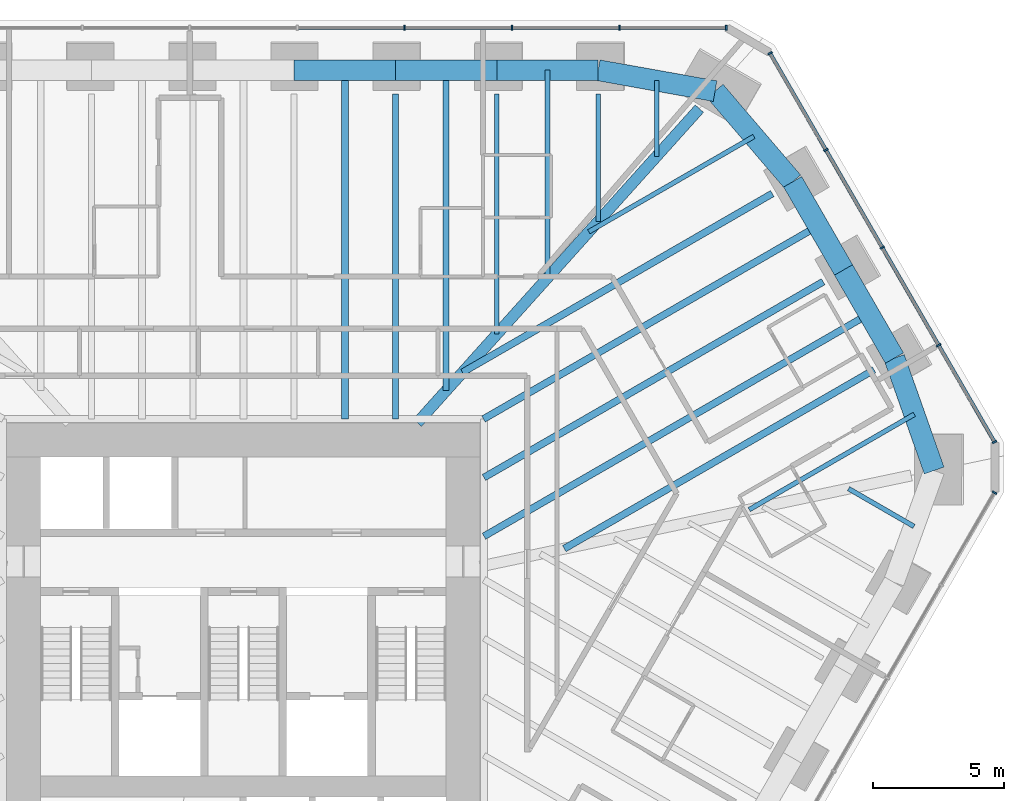
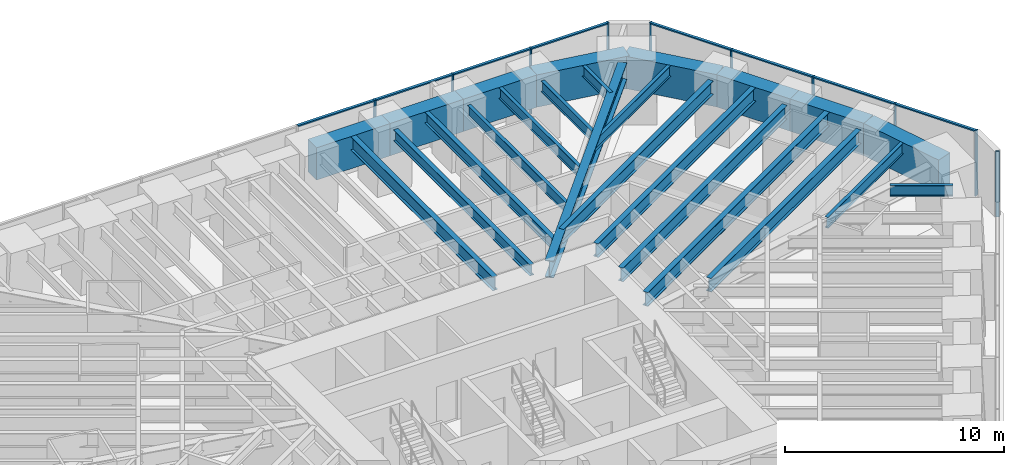
# One storey, part 9 of 18: 24 beams, 18 members, 3 elements without a shape of their own.
"""IFC4 building model written with IfcOpenShell, lengths in metres."""

import ifcopenshell
import ifcopenshell.guid

model = None  # the IFC model being written
_history = None  # IfcOwnerHistory: only IFC2X3 demands one
_inside = {}  # id of a spatial element -> (the spatial element, [elements in it])
_under = {}  # id of a project, library or spatial element -> (it, [spatial elements below it])
_declared = {}  # id of a project -> (the project, [libraries it declares])
_typed = {}  # id of a type object -> (the type object, [elements of that type])
_made_of = {}  # id of a material, layer set ... -> (it, [elements and type objects made of it])


def new_model(schema):
    """Start an empty IFC model of exactly this schema.

    Asked for "IFC4X3", IfcOpenShell would pick the latest addendum, in which some entities
    have other attributes; the version numbers below select the first issue.
    IFC2X3 requires an IfcOwnerHistory on every rooted entity: one is made here for all.
    """
    global model, _history
    if schema == "IFC4X3":
        model = ifcopenshell.file(schema_version=(4, 3, 0, 0))
    else:
        model = ifcopenshell.file(schema=schema)
    _inside.clear()
    _under.clear()
    _declared.clear()
    _typed.clear()
    _made_of.clear()
    _history = None
    if model.schema == "IFC2X3":
        org = make("IfcOrganization", Name="unknown")
        user = make(
            "IfcPersonAndOrganization",
            ThePerson=make("IfcPerson", FamilyName="unknown"),
            TheOrganization=org,
        )
        app = make(
            "IfcApplication",
            ApplicationDeveloper=org,
            Version="unknown",
            ApplicationFullName="unknown",
            ApplicationIdentifier="unknown",
        )
        _history = make(
            "IfcOwnerHistory",
            OwningUser=user,
            OwningApplication=app,
            ChangeAction="ADDED",
            CreationDate=0,
        )
    return model


def make(cls, **values):
    """One entity of the class cls with the attributes given. An attribute that is None is left unset."""
    return model.create_entity(
        cls, **{name: value for name, value in values.items() if value is not None}
    )


def rooted(cls, **values):
    """An entity with a GlobalId (a new one), such as an element, a storey or a relation."""
    return make(cls, GlobalId=ifcopenshell.guid.new(), OwnerHistory=_history, **values)


def si_unit(unit_type, name, prefix=None):
    """IfcSIUnit, for example si_unit("LENGTHUNIT", "METRE", prefix="MILLI")."""
    return make("IfcSIUnit", UnitType=unit_type, Prefix=prefix, Name=name)


def assignment(units):
    """IfcUnitAssignment: the units of a project."""
    return None if units is None else make("IfcUnitAssignment", Units=units)


def point(xyz):
    """IfcCartesianPoint."""
    return None if xyz is None else make("IfcCartesianPoint", Coordinates=xyz)


def direction(xyz):
    """IfcDirection."""
    return None if xyz is None else make("IfcDirection", DirectionRatios=xyz)


def frame(location, z_axis=None, x_axis=None):
    """IfcAxis2Placement3D, a coordinate frame: its origin and axes. An axis left out is left unset."""
    return make(
        "IfcAxis2Placement3D",
        Location=point(location),
        Axis=direction(z_axis),
        RefDirection=direction(x_axis),
    )


def frame_2d(location, x_axis=None):
    """IfcAxis2Placement2D, a coordinate frame in the plane: its origin and x axis."""
    return make(
        "IfcAxis2Placement2D", Location=point(location), RefDirection=direction(x_axis)
    )


def origin():
    """The frame at (0, 0, 0) with its axes left unset."""
    return frame((0.0, 0.0, 0.0))


def origin_2d():
    """The frame at (0, 0) in the plane with its x axis left unset."""
    return frame_2d((0.0, 0.0))


def place(relative_to, where):
    """IfcLocalPlacement: puts the frame where relative to a parent placement (None: the world)."""
    return make(
        "IfcLocalPlacement", PlacementRelTo=relative_to, RelativePlacement=where
    )


def context(
    kind, dimensions, precision=None, world=None, true_north=None, identifier=None
):
    """IfcGeometricRepresentationContext, for example the 3D "Model" context."""
    return make(
        "IfcGeometricRepresentationContext",
        ContextIdentifier=identifier,
        ContextType=kind,
        CoordinateSpaceDimension=dimensions,
        Precision=precision,
        WorldCoordinateSystem=world,
        TrueNorth=true_north,
    )


def subcontext(parent, identifier, kind, view, scale=None):
    """IfcGeometricRepresentationSubContext, for example "Body" below "Model"."""
    return make(
        "IfcGeometricRepresentationSubContext",
        ContextIdentifier=identifier,
        ContextType=kind,
        ParentContext=parent,
        TargetScale=scale,
        TargetView=view,
    )


def project(units=None, contexts=None):
    """IfcProject with its units and contexts."""
    return rooted(
        "IfcProject",
        Name="project",
        RepresentationContexts=contexts,
        UnitsInContext=assignment(units),
    )


def spatial(cls, under=None, at=None, **own):
    """A site, building, storey or space (cls), placed at a placement, below another one or the project."""
    s = rooted(cls, ObjectPlacement=at, **own)
    if under is not None:
        _under.setdefault(under.id(), (under, []))[1].append(s)
    return s


def profile(cls, at=None, kind="AREA", **sizes):
    """A parametric profile (cls). Its sizes go by their IFC names, for example OverallWidth=200.0."""
    return make(cls, ProfileType=kind, Position=at, **sizes)


def rectangle(**sizes):
    """IfcRectangleProfileDef."""
    return profile("IfcRectangleProfileDef", **sizes)


def i_section(**sizes):
    """IfcIShapeProfileDef."""
    return profile("IfcIShapeProfileDef", **sizes)


def extrude(swept, where, along, depth):
    """IfcExtrudedAreaSolid: the profile swept, set in the frame where, extruded along a direction by depth."""
    return make(
        "IfcExtrudedAreaSolid",
        SweptArea=swept,
        Position=where,
        ExtrudedDirection=direction(along),
        Depth=depth,
    )


def shape(context_of_items, identifier, shape_type, items):
    """IfcShapeRepresentation: the items that make up one representation, for example the "Body"."""
    return make(
        "IfcShapeRepresentation",
        ContextOfItems=context_of_items,
        RepresentationIdentifier=identifier,
        RepresentationType=shape_type,
        Items=items,
    )


def material(Name=None, Category=None):
    """IfcMaterial."""
    return make("IfcMaterial", Name=Name, Category=Category)


def material_profile(
    of_material, cross_section, Name=None, Category=None, Priority=None
):
    """IfcMaterialProfile: a cross section and its material."""
    return make(
        "IfcMaterialProfile",
        Name=Name,
        Material=of_material,
        Profile=cross_section,
        Priority=Priority,
        Category=Category,
    )


def profile_set(profiles, Name=None, composite=None):
    """IfcMaterialProfileSet."""
    return make(
        "IfcMaterialProfileSet",
        Name=Name,
        MaterialProfiles=profiles,
        CompositeProfile=composite,
    )


def made_of(thing, what):
    """Note that an element or type object is made of a material, layer set ...; save() writes the relation."""
    if what is not None:
        _made_of.setdefault(what.id(), (what, []))[1].append(thing)
    return thing


def type_object(cls, material=None, **own):
    """A type object (cls), such as IfcWallType, which elements share."""
    return made_of(rooted(cls, **own), material)


def element(
    cls,
    number,
    at=None,
    inside=None,
    cuts=None,
    type_object=None,
    material=None,
    context=None,
    identifier="Body",
    shape_type=None,
    held_by="IfcProductDefinitionShape",
    body=None,
    shapes=None,
    **own,
):
    """One element of the class cls, such as IfcWall. Its Tag is "e" and its number.

    at: its placement. inside: the storey or other place that contains it. cuts: it is an
    opening in that element (IfcRelVoidsElement). A single representation is given by context,
    identifier, shape_type and body (its items); several are given by shapes. held_by: the class
    of the entity that holds the representations. save() writes the other relations.
    """
    e = rooted(cls, Tag="e%d" % number, ObjectPlacement=at, **own)
    if body is not None:
        shapes = [shape(context, identifier, shape_type, body)]
    if shapes is not None:
        e.Representation = make(held_by, Representations=shapes)
    if inside is not None:
        _inside.setdefault(inside.id(), (inside, []))[1].append(e)
    if cuts is not None:
        rooted(
            "IfcRelVoidsElement", RelatingBuildingElement=cuts, RelatedOpeningElement=e
        )
    if type_object is not None:
        _typed.setdefault(type_object.id(), (type_object, []))[1].append(e)
    return made_of(e, material)


def aggregate(whole, parts):
    """IfcRelAggregates: a whole, such as a stair, and the parts it consists of."""
    return rooted("IfcRelAggregates", RelatingObject=whole, RelatedObjects=parts)


def save(model, path):
    """Write the relations noted so far, then the file.

    IfcRelAggregates (storeys below a building ...), IfcRelContainedInSpatialStructure (elements
    in a storey), IfcRelDefinesByType, IfcRelAssociatesMaterial and IfcRelDeclares: one each for
    every whole, place, type object, material and project.
    """
    for whole, parts in _under.values():
        aggregate(whole, parts)
    for where, things in _inside.values():
        rooted(
            "IfcRelContainedInSpatialStructure",
            RelatedElements=things,
            RelatingStructure=where,
        )
    for kind, things in _typed.values():
        rooted("IfcRelDefinesByType", RelatedObjects=things, RelatingType=kind)
    for what, things in _made_of.values():
        rooted("IfcRelAssociatesMaterial", RelatedObjects=things, RelatingMaterial=what)
    for by, libraries in _declared.values():
        rooted("IfcRelDeclares", RelatingContext=by, RelatedDefinitions=libraries)
    model.write(path)


model = new_model("IFC4")

# Units and contexts
model_context = context("Model", 3, precision=1e-05, world=origin(), true_north=direction((0.0, 1.0)))
body_context = subcontext(model_context, "Body", "Model", "MODEL_VIEW")
ifc_project = project(units=[si_unit("LENGTHUNIT", "METRE"), si_unit("AREAUNIT", "SQUARE_METRE"), si_unit("VOLUMEUNIT", "CUBIC_METRE"), si_unit("PLANEANGLEUNIT", "RADIAN"), si_unit("MASSUNIT", "GRAM", prefix="KILO")], contexts=[model_context])

# Site, building, storey
site_placement = place(None, origin())
site = spatial("IfcSite", under=ifc_project, at=site_placement, CompositionType="ELEMENT")
building_placement = place(site_placement, origin())
building = spatial("IfcBuilding", under=site, at=building_placement, Name="Sandreach Pilgrim Tower", CompositionType="ELEMENT")
storey_placement = place(building_placement, frame((0.0, 0.0, 153.800048828125)))
storey = spatial("IfcBuildingStorey", under=building, at=storey_placement, Name="L38", CompositionType="ELEMENT", Elevation=153.800048828125)

# Curtain wall, members
ifc_material_1 = material(Name="Aluminium framed curtain wall", Category="aluminium")
curtain_wall_type = type_object("IfcCurtainWallType", Name="Hotel tower curtain wall", PredefinedType="NOTDEFINED", material=ifc_material_1)
curtain_wall_1_placement = place(storey_placement, origin())
curtain_wall_1 = element("IfcCurtainWall", 1, at=curtain_wall_1_placement, inside=storey, type_object=curtain_wall_type, Name="CW-2 L38 N", PredefinedType="NOTDEFINED")
ifc_material_2 = material(Name="Aluminium extrusion", Category="aluminium")
ifc_material_profile_1 = material_profile(ifc_material_2, rectangle(XDim=0.06494140625, YDim=0.179931640625, at=origin_2d()), Name="CW-2M 65X180")
ifc_profile_set_1 = profile_set([ifc_material_profile_1], Name="Aluminium extrusion")
member_type_1 = type_object("IfcMemberType", Name="CW-2 mullion", PredefinedType="MULLION", material=ifc_profile_set_1)
member_1_placement = place(storey_placement, frame((6.160400390625, 22.493896484375, 0.0), z_axis=(0.0, 0.0, 1.0), x_axis=(1.0, 0.0, 0.0)))
member_1 = element("IfcMember", 2, at=member_1_placement, type_object=member_type_1, Name="CW-2 mullion 7", PredefinedType="MULLION", context=body_context, shape_type="SweptSolid", body=[
    extrude(rectangle(XDim=0.06494140625, YDim=0.179931640625, at=origin_2d()), origin(), (0.0, 0.0, 1.0), 3.639892578125),
])
member_2_placement = place(storey_placement, frame((10.267333984375, 22.493896484375, 0.0), z_axis=(0.0, 0.0, 1.0), x_axis=(1.0, 0.0, 0.0)))
member_2 = element("IfcMember", 3, at=member_2_placement, type_object=member_type_1, Name="CW-2 mullion 8", PredefinedType="MULLION", context=body_context, shape_type="SweptSolid", body=[
    extrude(rectangle(XDim=0.06494140625, YDim=0.179931640625, at=origin_2d()), origin(), (0.0, 0.0, 1.0), 3.639892578125),
])
member_3_placement = place(storey_placement, frame((14.37451171875, 22.493896484375, 0.0), z_axis=(0.0, 0.0, 1.0), x_axis=(1.0, 0.0, 0.0)))
member_3 = element("IfcMember", 4, at=member_3_placement, type_object=member_type_1, Name="CW-2 mullion 9", PredefinedType="MULLION", context=body_context, shape_type="SweptSolid", body=[
    extrude(rectangle(XDim=0.06494140625, YDim=0.179931640625, at=origin_2d()), origin(), (0.0, 0.0, 1.0), 3.639892578125),
])
member_4_placement = place(storey_placement, frame((18.448974609375, 22.493896484375, 0.0), z_axis=(0.0, 0.0, 1.0), x_axis=(1.0, 0.0, 0.0)))
member_4 = element("IfcMember", 5, at=member_4_placement, type_object=member_type_1, Name="CW-2 mullion 10", PredefinedType="MULLION", context=body_context, shape_type="SweptSolid", body=[
    extrude(rectangle(XDim=0.06494140625, YDim=0.179931640625, at=origin_2d()), origin(), (0.0, 0.0, 1.0), 3.639892578125),
])

curtain_wall_2_placement = place(storey_placement, origin())
curtain_wall_2 = element("IfcCurtainWall", 6, at=curtain_wall_2_placement, inside=storey, type_object=curtain_wall_type, Name="CW-2 L38 NE", PredefinedType="NOTDEFINED")
member_5_placement = place(storey_placement, frame((20.125732421875, 21.525634765625, 0.0), z_axis=(0.0, 0.0, 1.0), x_axis=(0.5, -0.866025403784, 0.0)))
member_5 = element("IfcMember", 7, at=member_5_placement, type_object=member_type_1, Name="CW-2 mullion 1", PredefinedType="MULLION", context=body_context, shape_type="SweptSolid", body=[
    extrude(rectangle(XDim=0.06494140625, YDim=0.179931640625, at=origin_2d()), origin(), (0.0, 0.0, 1.0), 3.639892578125),
])
member_6_placement = place(storey_placement, frame((22.262451171875, 17.824951171875, 0.0), z_axis=(0.0, 0.0, 1.0), x_axis=(0.5, -0.866025403784, 0.0)))
member_6 = element("IfcMember", 8, at=member_6_placement, type_object=member_type_1, Name="CW-2 mullion 2", PredefinedType="MULLION", context=body_context, shape_type="SweptSolid", body=[
    extrude(rectangle(XDim=0.06494140625, YDim=0.179931640625, at=origin_2d()), origin(), (0.0, 0.0, 1.0), 3.639892578125),
])
member_7_placement = place(storey_placement, frame((24.415283203125, 14.09619140625, 0.0), z_axis=(0.0, 0.0, 1.0), x_axis=(0.5, -0.866025403784, 0.0)))
member_7 = element("IfcMember", 9, at=member_7_placement, type_object=member_type_1, Name="CW-2 mullion 3", PredefinedType="MULLION", context=body_context, shape_type="SweptSolid", body=[
    extrude(rectangle(XDim=0.06494140625, YDim=0.179931640625, at=origin_2d()), origin(), (0.0, 0.0, 1.0), 3.639892578125),
])
member_8_placement = place(storey_placement, frame((26.568115234375, 10.3671875, 0.0), z_axis=(0.0, 0.0, 1.0), x_axis=(0.5, -0.866025403784, 0.0)))
member_8 = element("IfcMember", 10, at=member_8_placement, type_object=member_type_1, Name="CW-2 mullion 4", PredefinedType="MULLION", context=body_context, shape_type="SweptSolid", body=[
    extrude(rectangle(XDim=0.06494140625, YDim=0.179931640625, at=origin_2d()), origin(), (0.0, 0.0, 1.0), 3.639892578125),
])
member_9_placement = place(storey_placement, frame((28.70458984375, 6.66650390625, 0.0), z_axis=(0.0, 0.0, 1.0), x_axis=(0.5, -0.866025403784, 0.0)))
member_9 = element("IfcMember", 11, at=member_9_placement, type_object=member_type_1, Name="CW-2 mullion 5", PredefinedType="MULLION", context=body_context, shape_type="SweptSolid", body=[
    extrude(rectangle(XDim=0.06494140625, YDim=0.179931640625, at=origin_2d()), origin(), (0.0, 0.0, 1.0), 3.639892578125),
])

# Curtain wall, member
curtain_wall_3_placement = place(storey_placement, origin())
curtain_wall_3 = element("IfcCurtainWall", 12, at=curtain_wall_3_placement, inside=storey, type_object=curtain_wall_type, Name="CW-2 L38 SE", PredefinedType="NOTDEFINED")
member_10_placement = place(storey_placement, frame((28.70458984375, 4.730224609375, 0.0), z_axis=(0.0, 0.0, 1.0), x_axis=(-0.5, -0.866025403784, 0.0)))
member_10 = element("IfcMember", 13, at=member_10_placement, type_object=member_type_1, Name="CW-2 mullion 1", PredefinedType="MULLION", context=body_context, shape_type="SweptSolid", body=[
    extrude(rectangle(XDim=0.06494140625, YDim=0.179931640625, at=origin_2d()), origin(), (0.0, 0.0, 1.0), 3.639892578125),
])
aggregate(curtain_wall_3, [member_10])

# Member
ifc_material_3 = material(Name="Aluminium extrusion", Category="aluminium")
ifc_material_profile_2 = material_profile(ifc_material_3, rectangle(XDim=0.139892578125, YDim=0.070068359375, at=origin_2d()), Name="CW-2T 140X70")
ifc_profile_set_2 = profile_set([ifc_material_profile_2], Name="Aluminium extrusion")
member_type_2 = type_object("IfcMemberType", Name="CW-2 transom", PredefinedType="USERDEFINED", material=ifc_profile_set_2)
member_11_placement = place(storey_placement, frame((2.0859375, 22.493896484375, 3.60498046875), z_axis=(1.0, 0.0, 0.0), x_axis=(0.0, 1.0, 0.0)))
member_11 = element("IfcMember", 14, at=member_11_placement, type_object=member_type_2, Name="CW-2 head transom 6", ObjectType="TRANSOM", PredefinedType="USERDEFINED", context=body_context, shape_type="SweptSolid", body=[
    extrude(rectangle(XDim=0.139892578125, YDim=0.070068359375, at=origin_2d()), origin(), (0.0, 0.0, 1.0), 4.0419921875),
])

member_12_placement = place(storey_placement, frame((6.19287109375, 22.493896484375, 3.60498046875), z_axis=(1.0, 0.0, 0.0), x_axis=(0.0, 1.0, 0.0)))
member_12 = element("IfcMember", 15, at=member_12_placement, type_object=member_type_2, Name="CW-2 head transom 7", ObjectType="TRANSOM", PredefinedType="USERDEFINED", context=body_context, shape_type="SweptSolid", body=[
    extrude(rectangle(XDim=0.139892578125, YDim=0.070068359375, at=origin_2d()), origin(), (0.0, 0.0, 1.0), 4.0419921875),
])

member_13_placement = place(storey_placement, frame((10.300048828125, 22.493896484375, 3.60498046875), z_axis=(1.0, 0.0, 0.0), x_axis=(0.0, 1.0, 0.0)))
member_13 = element("IfcMember", 16, at=member_13_placement, type_object=member_type_2, Name="CW-2 head transom 8", ObjectType="TRANSOM", PredefinedType="USERDEFINED", context=body_context, shape_type="SweptSolid", body=[
    extrude(rectangle(XDim=0.139892578125, YDim=0.070068359375, at=origin_2d()), origin(), (0.0, 0.0, 1.0), 4.041748046875),
])

member_14_placement = place(storey_placement, frame((14.406982421875, 22.493896484375, 3.60498046875), z_axis=(1.0, 0.0, 0.0), x_axis=(0.0, 1.0, 0.0)))
member_14 = element("IfcMember", 17, at=member_14_placement, type_object=member_type_2, Name="CW-2 head transom 9", ObjectType="TRANSOM", PredefinedType="USERDEFINED", context=body_context, shape_type="SweptSolid", body=[
    extrude(rectangle(XDim=0.139892578125, YDim=0.070068359375, at=origin_2d()), origin(), (0.0, 0.0, 1.0), 4.00927734375),
])

aggregate(curtain_wall_1, [member_1, member_2, member_3, member_4, member_11, member_12, member_13, member_14])

member_15_placement = place(storey_placement, frame((20.14208984375, 21.49755859375, 3.60498046875), z_axis=(0.49997020258, -0.86604260665, 0.0), x_axis=(0.86604260665, 0.49997020258, 0.0)))
member_15 = element("IfcMember", 18, at=member_15_placement, type_object=member_type_2, Name="CW-2 head transom 1", ObjectType="TRANSOM", PredefinedType="USERDEFINED", context=body_context, shape_type="SweptSolid", body=[
    extrude(rectangle(XDim=0.139892578125, YDim=0.070068359375, at=origin_2d()), origin(), (0.0, 0.0, 1.0), 4.208251953125),
])

member_16_placement = place(storey_placement, frame((22.278564453125, 17.796875, 3.60498046875), z_axis=(0.499996541496, -0.866027400544, 0.0), x_axis=(0.866027400544, 0.499996541496, 0.0)))
member_16 = element("IfcMember", 19, at=member_16_placement, type_object=member_type_2, Name="CW-2 head transom 2", ObjectType="TRANSOM", PredefinedType="USERDEFINED", context=body_context, shape_type="SweptSolid", body=[
    extrude(rectangle(XDim=0.139892578125, YDim=0.070068359375, at=origin_2d()), origin(), (0.0, 0.0, 1.0), 4.24072265625),
])

member_17_placement = place(storey_placement, frame((24.431396484375, 14.06787109375, 3.60498046875), z_axis=(0.500021471012, -0.866013007135, 0.0), x_axis=(0.866013007135, 0.500021471012, 0.0)))
member_17 = element("IfcMember", 20, at=member_17_placement, type_object=member_type_2, Name="CW-2 head transom 3", ObjectType="TRANSOM", PredefinedType="USERDEFINED", context=body_context, shape_type="SweptSolid", body=[
    extrude(rectangle(XDim=0.139892578125, YDim=0.070068359375, at=origin_2d()), origin(), (0.0, 0.0, 1.0), 4.240478515625),
])

member_18_placement = place(storey_placement, frame((26.584228515625, 10.339111328125, 3.60498046875), z_axis=(0.500038835258, -0.866002981077, 0.0), x_axis=(0.866002981077, 0.500038835258, 0.0)))
member_18 = element("IfcMember", 21, at=member_18_placement, type_object=member_type_2, Name="CW-2 head transom 4", ObjectType="TRANSOM", PredefinedType="USERDEFINED", context=body_context, shape_type="SweptSolid", body=[
    extrude(rectangle(XDim=0.139892578125, YDim=0.070068359375, at=origin_2d()), origin(), (0.0, 0.0, 1.0), 4.208251953125),
])

aggregate(curtain_wall_2, [member_5, member_6, member_7, member_8, member_9, member_15, member_16, member_17, member_18])

# Beams
ifc_material_4 = material(Name="Steel ASTM A992 Grade 50", Category="steel")
ifc_material_profile_3 = material_profile(ifc_material_4, i_section(OverallWidth=0.424072265625, OverallDepth=0.947509765625, WebThickness=0.02392578125, FlangeThickness=0.042724609375, at=origin_2d()), Name="W36X302")
ifc_profile_set_3 = profile_set([ifc_material_profile_3], Name="Steel ASTM A992 Grade 50")
beam_type_1 = type_object("IfcBeamType", Name="Corner girder W36X302", PredefinedType="BEAM", material=ifc_profile_set_3)
beam_1_placement = place(storey_placement, frame((17.425048828125, 19.40576171875, 3.166259765625), z_axis=(-0.668108278651, -0.744064061757, 0.0), x_axis=(0.744064061757, -0.668108278651, 0.0)))
element("IfcBeam", 22, at=beam_1_placement, inside=storey, type_object=beam_type_1, Name="BM L38 CG09", PredefinedType="BEAM", context=body_context, shape_type="SweptSolid", body=[
    extrude(i_section(OverallWidth=0.424072265625, OverallDepth=0.947509765625, WebThickness=0.02392578125, FlangeThickness=0.042724609375, at=origin_2d()), origin(), (0.0, 0.0, 1.0), 16.135498046875),
])
ifc_material_5 = material(Name="Steel ASTM A992 Grade 50", Category="steel")
ifc_material_profile_4 = material_profile(ifc_material_5, i_section(OverallWidth=0.1787109375, OverallDepth=0.60205078125, WebThickness=0.010986328125, FlangeThickness=0.014892578125, at=origin_2d()), Name="W24X62")
ifc_profile_set_4 = profile_set([ifc_material_profile_4], Name="Steel ASTM A992 Grade 50")
beam_type_2 = type_object("IfcBeamType", Name="Floor beam W24X62", PredefinedType="BEAM", material=ifc_profile_set_4)
beam_2_placement = place(storey_placement, frame((9.68310546875, 19.974365234375, 3.3388671875), z_axis=(0.0, -1.0, 0.0), x_axis=(1.0, 0.0, 0.0)))
element("IfcBeam", 23, at=beam_2_placement, inside=storey, type_object=beam_type_2, Name="BM L38 F07", PredefinedType="BEAM", context=body_context, shape_type="SweptSolid", body=[
    extrude(i_section(OverallWidth=0.1787109375, OverallDepth=0.60205078125, WebThickness=0.010986328125, FlangeThickness=0.014892578125, at=origin_2d()), origin(), (0.0, 0.0, 1.0), 9.190673828125),
])
beam_3_placement = place(storey_placement, frame((13.556396484375, 19.974365234375, 3.3388671875), z_axis=(0.0, -1.0, 0.0), x_axis=(1.0, 0.0, 0.0)))
element("IfcBeam", 24, at=beam_3_placement, inside=storey, type_object=beam_type_2, Name="BM L38 F08", PredefinedType="BEAM", context=body_context, shape_type="SweptSolid", body=[
    extrude(i_section(OverallWidth=0.1787109375, OverallDepth=0.60205078125, WebThickness=0.010986328125, FlangeThickness=0.014892578125, at=origin_2d()), origin(), (0.0, 0.0, 1.0), 4.877197265625),
])
beam_4_placement = place(storey_placement, frame((11.619873046875, 20.874267578125, 3.3388671875), z_axis=(0.0, -1.0, 0.0), x_axis=(1.0, 0.0, 0.0)))
element("IfcBeam", 25, at=beam_4_placement, inside=storey, type_object=beam_type_2, Name="BM L38 FM07", PredefinedType="BEAM", context=body_context, shape_type="SweptSolid", body=[
    extrude(i_section(OverallWidth=0.1787109375, OverallDepth=0.60205078125, WebThickness=0.010986328125, FlangeThickness=0.014892578125, at=origin_2d()), origin(), (0.0, 0.0, 1.0), 7.933837890625),
])
beam_5_placement = place(storey_placement, frame((15.79150390625, 20.474853515625, 3.3388671875), z_axis=(0.0, -1.0, 0.0), x_axis=(1.0, 0.0, 0.0)))
element("IfcBeam", 26, at=beam_5_placement, inside=storey, type_object=beam_type_2, Name="BM L38 FM08", PredefinedType="BEAM", context=body_context, shape_type="SweptSolid", body=[
    extrude(i_section(OverallWidth=0.1787109375, OverallDepth=0.60205078125, WebThickness=0.010986328125, FlangeThickness=0.014892578125, at=origin_2d()), origin(), (0.0, 0.0, 1.0), 2.888671875),
])
beam_6_placement = place(storey_placement, frame((19.50830078125, 18.342529296875, 3.3388671875), z_axis=(-0.866027633051, -0.499996138777, 0.0), x_axis=(0.499996138777, -0.866027633051, 0.0)))
element("IfcBeam", 27, at=beam_6_placement, inside=storey, type_object=beam_type_2, Name="BM L38 FM09", PredefinedType="BEAM", context=body_context, shape_type="SweptSolid", body=[
    extrude(i_section(OverallWidth=0.1787109375, OverallDepth=0.60205078125, WebThickness=0.010986328125, FlangeThickness=0.014892578125, at=origin_2d()), origin(), (0.0, 0.0, 1.0), 7.2841796875),
])
beam_7_placement = place(storey_placement, frame((25.63916015625, 7.723388671875, 3.3388671875), z_axis=(-0.866019253741, -0.500010652036, 0.0), x_axis=(0.500010652036, -0.866019253741, 0.0)))
element("IfcBeam", 28, at=beam_7_placement, inside=storey, type_object=beam_type_2, Name="BM L38 FM12", PredefinedType="BEAM", context=body_context, shape_type="SweptSolid", body=[
    extrude(i_section(OverallWidth=0.1787109375, OverallDepth=0.60205078125, WebThickness=0.010986328125, FlangeThickness=0.014892578125, at=origin_2d()), origin(), (0.0, 0.0, 1.0), 7.283935546875),
])
beam_8_placement = place(storey_placement, frame((25.62744140625, 3.438232421875, 3.3388671875), z_axis=(-0.866008233186, 0.500029739169, 0.0), x_axis=(-0.500029739169, -0.866008233186, 0.0)))
element("IfcBeam", 29, at=beam_8_placement, inside=storey, type_object=beam_type_2, Name="BM L38 FM13", PredefinedType="BEAM", context=body_context, shape_type="SweptSolid", body=[
    extrude(i_section(OverallWidth=0.1787109375, OverallDepth=0.60205078125, WebThickness=0.010986328125, FlangeThickness=0.014892578125, at=origin_2d()), origin(), (0.0, 0.0, 1.0), 2.888427734375),
])
ifc_material_6 = material(Name="Steel ASTM A992 Grade 50", Category="steel")
ifc_material_profile_5 = material_profile(ifc_material_6, i_section(OverallWidth=0.23046875, OverallDepth=0.6171875, WebThickness=0.01318359375, FlangeThickness=0.022216796875, at=origin_2d()), Name="W24X94")
ifc_profile_set_5 = profile_set([ifc_material_profile_5], Name="Steel ASTM A992 Grade 50")
beam_type_3 = type_object("IfcBeamType", Name="Floor beam W24X94", PredefinedType="BEAM", material=ifc_profile_set_5)
beam_9_placement = place(storey_placement, frame((5.809814453125, 19.974365234375, 3.331298828125), z_axis=(0.0, -1.0, 0.0), x_axis=(1.0, 0.0, 0.0)))
element("IfcBeam", 30, at=beam_9_placement, inside=storey, type_object=beam_type_3, Name="BM L38 F06", PredefinedType="BEAM", context=body_context, shape_type="SweptSolid", body=[
    extrude(i_section(OverallWidth=0.23046875, OverallDepth=0.6171875, WebThickness=0.01318359375, FlangeThickness=0.022216796875, at=origin_2d()), origin(), (0.0, 0.0, 1.0), 12.430908203125),
])
beam_10_placement = place(storey_placement, frame((7.74658203125, 20.874267578125, 3.331298828125), z_axis=(0.0, -1.0, 0.0), x_axis=(1.0, 0.0, 0.0)))
element("IfcBeam", 31, at=beam_10_placement, inside=storey, type_object=beam_type_3, Name="BM L38 FM06", PredefinedType="BEAM", context=body_context, shape_type="SweptSolid", body=[
    extrude(i_section(OverallWidth=0.23046875, OverallDepth=0.6171875, WebThickness=0.01318359375, FlangeThickness=0.022216796875, at=origin_2d()), origin(), (0.0, 0.0, 1.0), 12.247314453125),
])
ifc_material_7 = material(Name="Steel ASTM A992 Grade 50", Category="steel")
ifc_material_profile_6 = material_profile(ifc_material_7, i_section(OverallWidth=0.2666015625, OverallDepth=0.761962890625, WebThickness=0.014404296875, FlangeThickness=0.021484375, at=origin_2d()), Name="W30X116")
ifc_profile_set_6 = profile_set([ifc_material_profile_6], Name="Steel ASTM A992 Grade 50")
beam_type_4 = type_object("IfcBeamType", Name="Floor beam W30X116", PredefinedType="BEAM", material=ifc_profile_set_6)
beam_11_placement = place(storey_placement, frame((20.2109375, 16.15966796875, 3.259033203125), z_axis=(-0.866024071941, -0.500002306813, 0.0), x_axis=(0.500002306813, -0.866024071941, 0.0)))
element("IfcBeam", 32, at=beam_11_placement, inside=storey, type_object=beam_type_4, Name="BM L38 F10", PredefinedType="BEAM", context=body_context, shape_type="SweptSolid", body=[
    extrude(i_section(OverallWidth=0.2666015625, OverallDepth=0.761962890625, WebThickness=0.014404296875, FlangeThickness=0.021484375, at=origin_2d()), origin(), (0.0, 0.0, 1.0), 13.66845703125),
])
beam_12_placement = place(storey_placement, frame((22.155517578125, 12.79150390625, 3.259033203125), z_axis=(-0.866027224941, -0.499996845651, 0.0), x_axis=(0.499996845651, -0.866027224941, 0.0)))
element("IfcBeam", 33, at=beam_12_placement, inside=storey, type_object=beam_type_4, Name="BM L38 F11", PredefinedType="BEAM", context=body_context, shape_type="SweptSolid", body=[
    extrude(i_section(OverallWidth=0.2666015625, OverallDepth=0.761962890625, WebThickness=0.014404296875, FlangeThickness=0.021484375, at=origin_2d()), origin(), (0.0, 0.0, 1.0), 14.96728515625),
])
beam_13_placement = place(storey_placement, frame((24.10009765625, 9.42333984375, 3.259033203125), z_axis=(-0.866024071941, -0.500002306813, 0.0), x_axis=(0.500002306813, -0.866024071941, 0.0)))
element("IfcBeam", 34, at=beam_13_placement, inside=storey, type_object=beam_type_4, Name="BM L38 F12", PredefinedType="BEAM", context=body_context, shape_type="SweptSolid", body=[
    extrude(i_section(OverallWidth=0.2666015625, OverallDepth=0.761962890625, WebThickness=0.014404296875, FlangeThickness=0.021484375, at=origin_2d()), origin(), (0.0, 0.0, 1.0), 13.66845703125),
])
beam_14_placement = place(storey_placement, frame((3.873291015625, 20.874267578125, 3.259033203125), z_axis=(0.0, -1.0, 0.0), x_axis=(1.0, 0.0, 0.0)))
element("IfcBeam", 35, at=beam_14_placement, inside=storey, type_object=beam_type_4, Name="BM L38 FM05", PredefinedType="BEAM", context=body_context, shape_type="SweptSolid", body=[
    extrude(i_section(OverallWidth=0.2666015625, OverallDepth=0.761962890625, WebThickness=0.014404296875, FlangeThickness=0.021484375, at=origin_2d()), origin(), (0.0, 0.0, 1.0), 13.330810546875),
])
beam_15_placement = place(storey_placement, frame((21.962646484375, 14.925537109375, 3.259033203125), z_axis=(-0.866029453917, -0.499992984899, 0.0), x_axis=(0.499992984899, -0.866029453917, 0.0)))
element("IfcBeam", 36, at=beam_15_placement, inside=storey, type_object=beam_type_4, Name="BM L38 FM10", PredefinedType="BEAM", context=body_context, shape_type="SweptSolid", body=[
    extrude(i_section(OverallWidth=0.2666015625, OverallDepth=0.761962890625, WebThickness=0.014404296875, FlangeThickness=0.021484375, at=origin_2d()), origin(), (0.0, 0.0, 1.0), 14.764404296875),
])
ifc_material_8 = material(Name="Steel ASTM A992 Grade 50", Category="steel")
ifc_material_profile_7 = material_profile(ifc_material_8, i_section(OverallWidth=0.2666015625, OverallDepth=0.77978515625, WebThickness=0.0166015625, FlangeThickness=0.030029296875, at=origin_2d()), Name="W30X148")
ifc_profile_set_7 = profile_set([ifc_material_profile_7], Name="Steel ASTM A992 Grade 50")
beam_type_5 = type_object("IfcBeamType", Name="Floor beam W30X148", PredefinedType="BEAM", material=ifc_profile_set_7)
beam_16_placement = place(storey_placement, frame((23.9072265625, 11.557373046875, 3.25), z_axis=(-0.866023823489, -0.500002737143, 0.0), x_axis=(0.500002737143, -0.866023823489, 0.0)))
element("IfcBeam", 37, at=beam_16_placement, inside=storey, type_object=beam_type_5, Name="BM L38 FM11", PredefinedType="BEAM", context=body_context, shape_type="SweptSolid", body=[
    extrude(i_section(OverallWidth=0.2666015625, OverallDepth=0.77978515625, WebThickness=0.0166015625, FlangeThickness=0.030029296875, at=origin_2d()), origin(), (0.0, 0.0, 1.0), 16.990234375),
])
ifc_material_9 = material(Name="Concrete 10000 psi", Category="concrete")
ifc_material_profile_8 = material_profile(ifc_material_9, rectangle(XDim=0.800048828125, YDim=1.800048828125, at=origin_2d()), Name="RC800X1800")
ifc_profile_set_8 = profile_set([ifc_material_profile_8], Name="Concrete 10000 psi")
beam_type_6 = type_object("IfcBeamType", Name="Spandrel beam RC800X1800", PredefinedType="SPANDREL", material=ifc_profile_set_8)
for number, where, z_axis, x_axis, name in (
    (38, (1.9365234375, 20.874267578125, 2.739990234375), (1.0, 0.0, 0.0), (0.0, 1.0, 0.0), "BM L38 SP05"),
    (39, (5.809814453125, 20.874267578125, 2.739990234375), (1.0, 0.0, 0.0), (0.0, 1.0, 0.0), "BM L38 SP06"),
    (40, (9.68310546875, 20.874267578125, 2.739990234375), (1.0, 0.0, 0.0), (0.0, 1.0, 0.0), "BM L38 SP07"),
):
    element("IfcBeam", number, at=place(storey_placement, frame(where, z_axis=z_axis, x_axis=x_axis)), inside=storey, type_object=beam_type_6, Name=name, PredefinedType="SPANDREL", context=body_context, shape_type="SweptSolid", body=[
        extrude(rectangle(XDim=0.800048828125, YDim=1.800048828125, at=origin_2d()), origin(), (0.0, 0.0, 1.0), 3.873291015625),
    ])
beam_17_placement = place(storey_placement, frame((13.556396484375, 20.874267578125, 2.739990234375), z_axis=(0.984394660891, -0.17597486073, 0.0), x_axis=(0.17597486073, 0.984394660891, 0.0)))
element("IfcBeam", 41, at=beam_17_placement, inside=storey, type_object=beam_type_6, Name="BM L38 SP08", PredefinedType="SPANDREL", context=body_context, shape_type="SweptSolid", body=[
    extrude(rectangle(XDim=0.800048828125, YDim=1.800048828125, at=origin_2d()), origin(), (0.0, 0.0, 1.0), 4.540771484375),
])
beam_18_placement = place(storey_placement, frame((18.0263671875, 20.0751953125, 2.739990234375), z_axis=(0.649953262597, -0.75997418143, 0.0), x_axis=(0.75997418143, 0.649953262597, 0.0)))
element("IfcBeam", 42, at=beam_18_placement, inside=storey, type_object=beam_type_6, Name="BM L38 SP09", PredefinedType="SPANDREL", context=body_context, shape_type="SweptSolid", body=[
    extrude(rectangle(XDim=0.800048828125, YDim=1.800048828125, at=origin_2d()), origin(), (0.0, 0.0, 1.0), 4.56005859375),
])
beam_19_placement = place(storey_placement, frame((20.990234375, 16.609619140625, 2.739990234375), z_axis=(0.499994147244, -0.866028782848, 0.0), x_axis=(0.866028782848, 0.499994147244, 0.0)))
element("IfcBeam", 43, at=beam_19_placement, inside=storey, type_object=beam_type_6, Name="BM L38 SP10", PredefinedType="SPANDREL", context=body_context, shape_type="SweptSolid", body=[
    extrude(rectangle(XDim=0.800048828125, YDim=1.800048828125, at=origin_2d()), origin(), (0.0, 0.0, 1.0), 3.88916015625),
])
beam_20_placement = place(storey_placement, frame((22.934814453125, 13.241455078125, 2.739990234375), z_axis=(0.500041225824, -0.866001600736, 0.0), x_axis=(0.866001600736, 0.500041225824, 0.0)))
element("IfcBeam", 44, at=beam_20_placement, inside=storey, type_object=beam_type_6, Name="BM L38 SP11", PredefinedType="SPANDREL", context=body_context, shape_type="SweptSolid", body=[
    extrude(rectangle(XDim=0.800048828125, YDim=1.800048828125, at=origin_2d()), origin(), (0.0, 0.0, 1.0), 3.889404296875),
])
beam_21_placement = place(storey_placement, frame((24.879638671875, 9.873291015625, 2.739990234375), z_axis=(0.333170154298, -0.942866718198, 0.0), x_axis=(0.942866718198, 0.333170154298, 0.0)))
element("IfcBeam", 45, at=beam_21_placement, inside=storey, type_object=beam_type_6, Name="BM L38 SP12", PredefinedType="SPANDREL", context=body_context, shape_type="SweptSolid", body=[
    extrude(rectangle(XDim=0.800048828125, YDim=1.800048828125, at=origin_2d()), origin(), (0.0, 0.0, 1.0), 4.56005859375),
])

save(model, "model.ifc")
